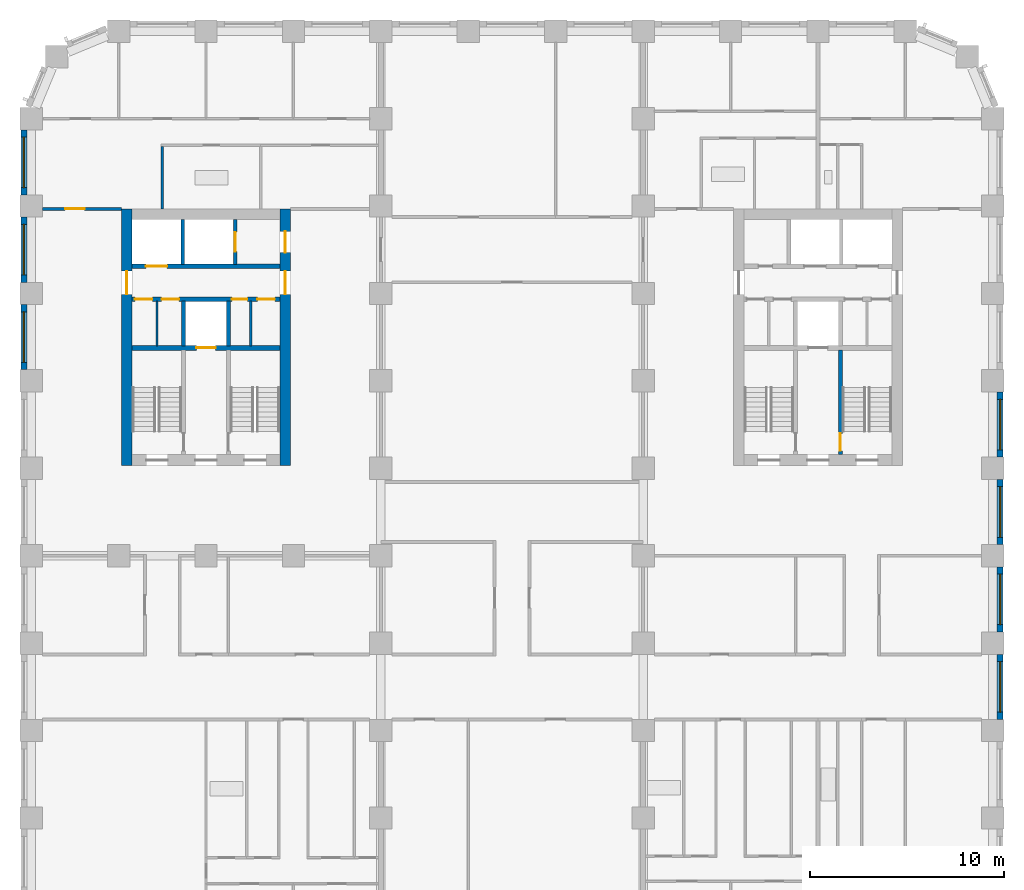
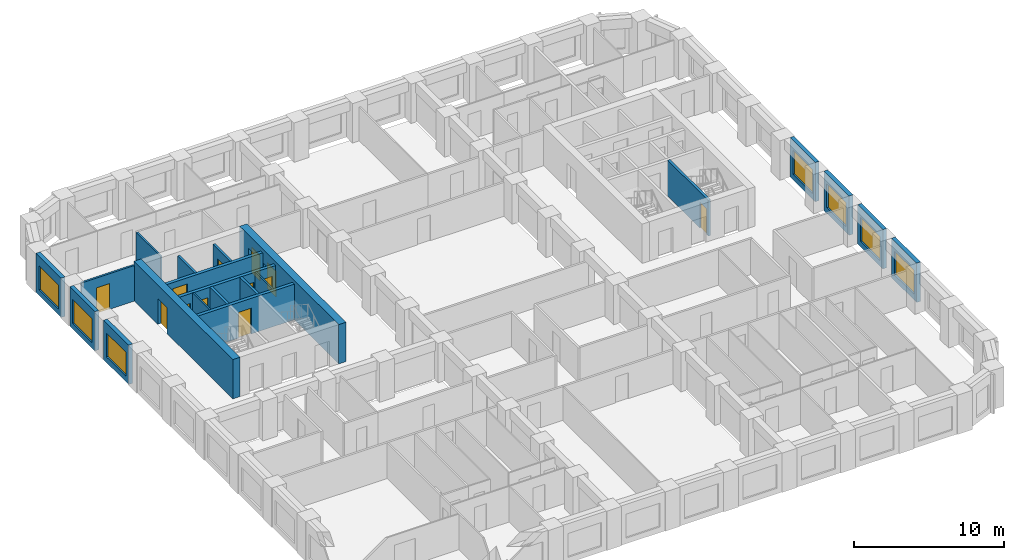
# One storey, part 6 of 12: 21 walls, 12 doors, 7 windows, 19 openings.
"""IFC4 building model written with IfcOpenShell, lengths in metres."""

from ifc_helpers import new_model, si_unit, direction, frame, frame_2d, origin, place, context, subcontext, project, spatial, rectangle, extrude, material, layer, layer_set, type_object, element, fill, save


model = new_model("IFC4")

# Units and contexts
model_context = context("Model", 3, precision=1e-05, world=origin(), true_north=direction((0.0, 1.0)))
body_context = subcontext(model_context, "Body", "Model", "MODEL_VIEW")
ifc_project = project(units=[si_unit("LENGTHUNIT", "METRE"), si_unit("AREAUNIT", "SQUARE_METRE"), si_unit("VOLUMEUNIT", "CUBIC_METRE"), si_unit("PLANEANGLEUNIT", "RADIAN"), si_unit("MASSUNIT", "GRAM", prefix="KILO")], contexts=[model_context])

# Site, building, storey
site_placement = place(None, origin())
site = spatial("IfcSite", under=ifc_project, at=site_placement, CompositionType="ELEMENT")
building_placement = place(site_placement, origin())
building = spatial("IfcBuilding", under=site, at=building_placement, Name="Girih Gate Residences", CompositionType="ELEMENT")
storey_placement = place(building_placement, frame((0.0, 0.0, 112.0)))
storey = spatial("IfcBuildingStorey", under=building, at=storey_placement, Name="L31", CompositionType="ELEMENT", Elevation=112.0)

# Wall, opening, door
ifc_material_1 = material(Name="Gypsum board on steel studs", Category="steel")
ifc_layer_1 = layer(ifc_material_1, 0.14990234375)
ifc_layer_set_1 = layer_set([ifc_layer_1], Name="Compartment wall 150 mm")
wall_type_1 = type_object("IfcWallType", Name="Compartment wall 150 mm", PredefinedType="PARTITIONING", material=ifc_layer_set_1)
wall_1_placement = place(storey_placement, frame((0.574951171875, 40.35009765625, 0.0), z_axis=(0.0, 0.0, 1.0), x_axis=(1.0, 0.0, 0.0)))
wall_1 = element("IfcWall", 1, at=wall_1_placement, inside=storey, type_object=wall_type_1, Name="L31 partition", PredefinedType="PARTITIONING", context=body_context, shape_type="SweptSolid", body=[
    extrude(rectangle(XDim=4.074951171875, YDim=0.14990234375, at=frame_2d((2.03759765625, 0.0))), origin(), (0.0, 0.0, 1.0), 2.89990234375),
])
opening_1_placement = place(wall_1_placement, frame((1.175048828125, 0.0, 0.0)))
opening_1 = element("IfcOpeningElement", 2, at=opening_1_placement, cuts=wall_1, Name="Opening A31-016", PredefinedType="OPENING", context=body_context, shape_type="SweptSolid", body=[
    extrude(rectangle(XDim=1.0, YDim=2.10009765625, at=frame_2d((0.5, 1.050048828125))), frame((0.0, 0.0849609375, 0.0), z_axis=(0.0, -1.0, 0.0), x_axis=(1.0, 0.0, 0.0)), (0.0, 0.0, 1.0), 0.169921875),
])
ifc_material_2 = material(Name="Timber, fire-rated core", Category="wood")
door_type_1 = type_object("IfcDoorType", Name="Flat entrance door 1000x2100 FD30S", OperationType="NOTDEFINED", PredefinedType="DOOR", material=ifc_material_2)
door_1_placement = place(opening_1_placement, origin())
door_1 = element("IfcDoor", 3, at=door_1_placement, inside=storey, type_object=door_type_1, Name="Door A31-016", OperationType="SINGLE_SWING_LEFT", OverallHeight=2.10009765625, OverallWidth=1.0, PredefinedType="DOOR", context=body_context, shape_type="SweptSolid", body=[
    extrude(rectangle(XDim=1.0, YDim=2.10009765625, at=frame_2d((0.5, 1.050048828125))), frame((0.0, 0.02490234375, 0.0), z_axis=(0.0, -1.0, 0.0), x_axis=(1.0, 0.0, 0.0)), (0.0, 0.0, 1.0), 0.050048828125),
])
fill(opening_1, door_1)

ifc_material_3 = material(Name="Concrete C60/75", Category="concrete")
ifc_layer_2 = layer(ifc_material_3, 0.550048828125)
ifc_layer_set_2 = layer_set([ifc_layer_2], Name="Core wall RC 550 Concrete C60/75")
wall_type_2 = type_object("IfcWallType", Name="Core wall RC 550 Concrete C60/75", PredefinedType="SOLIDWALL", material=ifc_layer_set_2)
wall_2_placement = place(storey_placement, frame((4.925048828125, 27.14990234375, 0.0), z_axis=(0.0, 0.0, 1.0), x_axis=(0.0, 1.0, 0.0)))
wall_2 = element("IfcWall", 4, at=wall_2_placement, inside=storey, type_object=wall_type_2, Name="Core wall W-W L31", PredefinedType="SOLIDWALL", context=body_context, shape_type="SweptSolid", body=[
    extrude(rectangle(XDim=13.2001953125, YDim=0.550048828125, at=frame_2d((6.60009765625, 0.0))), origin(), (0.0, 0.0, 1.0), 3.199951171875),
])
opening_2_placement = place(wall_2_placement, frame((8.800048828125, 0.0, 0.0)))
opening_2 = element("IfcOpeningElement", 5, at=opening_2_placement, cuts=wall_2, Name="Opening D-L31-W-014", PredefinedType="OPENING", context=body_context, shape_type="SweptSolid", body=[
    extrude(rectangle(XDim=1.199951171875, YDim=2.10009765625, at=frame_2d((0.60009765625, 1.050048828125))), frame((0.0, 0.284912109375, 0.0), z_axis=(0.0, -1.0, 0.0), x_axis=(1.0, 0.0, 0.0)), (0.0, 0.0, 1.0), 0.570068359375),
])
ifc_material_4 = material(Name="Painted steel, fire-resisting", Category="steel")
door_type_2 = type_object("IfcDoorType", Name="Fire door 1200x2100", OperationType="SINGLE_SWING_LEFT", PredefinedType="DOOR", material=ifc_material_4)
door_2_placement = place(opening_2_placement, origin())
door_2 = element("IfcDoor", 6, at=door_2_placement, inside=storey, type_object=door_type_2, Name="L31 W core door ll-w", OperationType="SINGLE_SWING_LEFT", OverallHeight=2.10009765625, OverallWidth=1.199951171875, PredefinedType="DOOR", context=body_context, shape_type="SweptSolid", body=[
    extrude(rectangle(XDim=1.199951171875, YDim=2.10009765625, at=frame_2d((0.60009765625, 1.050048828125))), frame((0.0, 0.02490234375, 0.0), z_axis=(0.0, -1.0, 0.0), x_axis=(1.0, 0.0, 0.0)), (0.0, 0.0, 1.0), 0.050048828125),
])
fill(opening_2, door_2)

# Wall, openings, doors
wall_3_placement = place(storey_placement, frame((13.074951171875, 27.14990234375, 0.0), z_axis=(0.0, 0.0, 1.0), x_axis=(0.0, 1.0, 0.0)))
wall_3 = element("IfcWall", 7, at=wall_3_placement, inside=storey, type_object=wall_type_2, Name="Core wall W-E L31", PredefinedType="SOLIDWALL", context=body_context, shape_type="SweptSolid", body=[
    extrude(rectangle(XDim=13.2001953125, YDim=0.550048828125, at=frame_2d((6.60009765625, 0.0))), origin(), (0.0, 0.0, 1.0), 3.199951171875),
])
opening_3_placement = place(wall_3_placement, frame((10.949951171875, 0.0, 0.0)))
opening_3 = element("IfcOpeningElement", 8, at=opening_3_placement, cuts=wall_3, Name="Opening D-L31-W-013", PredefinedType="OPENING", context=body_context, shape_type="SweptSolid", body=[
    extrude(rectangle(XDim=1.10009765625, YDim=2.10009765625, at=frame_2d((0.550048828125, 1.050048828125))), frame((0.0, 0.284912109375, 0.0), z_axis=(0.0, -1.0, 0.0), x_axis=(1.0, 0.0, 0.0)), (0.0, 0.0, 1.0), 0.570068359375),
])
opening_4_placement = place(wall_3_placement, frame((8.800048828125, 0.0, 0.0)))
opening_4 = element("IfcOpeningElement", 9, at=opening_4_placement, cuts=wall_3, Name="Opening D-L31-W-015", PredefinedType="OPENING", context=body_context, shape_type="SweptSolid", body=[
    extrude(rectangle(XDim=1.199951171875, YDim=2.10009765625, at=frame_2d((0.60009765625, 1.050048828125))), frame((0.0, 0.284912109375, 0.0), z_axis=(0.0, -1.0, 0.0), x_axis=(1.0, 0.0, 0.0)), (0.0, 0.0, 1.0), 0.570068359375),
])
door_type_3 = type_object("IfcDoorType", Name="Fire door 1100x2100", OperationType="SINGLE_SWING_LEFT", PredefinedType="DOOR", material=ifc_material_4)
door_3_placement = place(opening_3_placement, origin())
door_3 = element("IfcDoor", 10, at=door_3_placement, inside=storey, type_object=door_type_3, Name="L31 W core door ffl2-e", OperationType="SINGLE_SWING_LEFT", OverallHeight=2.10009765625, OverallWidth=1.10009765625, PredefinedType="DOOR", context=body_context, shape_type="SweptSolid", body=[
    extrude(rectangle(XDim=1.10009765625, YDim=2.10009765625, at=frame_2d((0.550048828125, 1.050048828125))), frame((0.0, 0.02490234375, 0.0), z_axis=(0.0, -1.0, 0.0), x_axis=(1.0, 0.0, 0.0)), (0.0, 0.0, 1.0), 0.050048828125),
])
fill(opening_3, door_3)
door_4_placement = place(opening_4_placement, origin())
door_4 = element("IfcDoor", 11, at=door_4_placement, inside=storey, type_object=door_type_2, Name="L31 W core door ll-e", OperationType="SINGLE_SWING_LEFT", OverallHeight=2.10009765625, OverallWidth=1.199951171875, PredefinedType="DOOR", context=body_context, shape_type="SweptSolid", body=[
    extrude(rectangle(XDim=1.199951171875, YDim=2.10009765625, at=frame_2d((0.60009765625, 1.050048828125))), frame((0.0, 0.02490234375, 0.0), z_axis=(0.0, -1.0, 0.0), x_axis=(1.0, 0.0, 0.0)), (0.0, 0.0, 1.0), 0.050048828125),
])
fill(opening_4, door_4)

# Wall, opening, door
ifc_material_5 = material(Name="Concrete C40/50", Category="concrete")
ifc_layer_3 = layer(ifc_material_5, 0.25)
ifc_layer_set_3 = layer_set([ifc_layer_3], Name="Lift shaft wall 250")
wall_type_3 = type_object("IfcWallType", Name="Lift shaft wall 250", PredefinedType="SOLIDWALL", material=ifc_layer_set_3)
wall_4_placement = place(storey_placement, frame((5.199951171875, 33.199951171875, 0.0), z_axis=(0.0, 0.0, 1.0), x_axis=(1.0, 0.0, 0.0)))
wall_4 = element("IfcWall", 12, at=wall_4_placement, inside=storey, type_object=wall_type_3, Name="L31 W core wall H1", PredefinedType="SOLIDWALL", context=body_context, shape_type="SweptSolid", body=[
    extrude(rectangle(XDim=7.60009765625, YDim=0.25, at=frame_2d((3.800048828125, 0.0))), origin(), (0.0, 0.0, 1.0), 2.89990234375),
])
opening_5_placement = place(wall_4_placement, frame((3.300048828125, 0.0, 0.0)))
opening_5 = element("IfcOpeningElement", 13, at=opening_5_placement, cuts=wall_4, Name="Opening D-L31-W-005", PredefinedType="OPENING", context=body_context, shape_type="SweptSolid", body=[
    extrude(rectangle(XDim=1.0, YDim=2.10009765625, at=frame_2d((0.5, 1.050048828125))), frame((0.0, 0.135009765625, 0.0), z_axis=(0.0, -1.0, 0.0), x_axis=(1.0, 0.0, 0.0)), (0.0, 0.0, 1.0), 0.27001953125),
])
ifc_material_6 = material(Name="Stainless steel, fire-resisting", Category="steel")
door_type_4 = type_object("IfcDoorType", Name="Firefighting lift landing door 1000x2100", OperationType="SLIDING_TO_LEFT", PredefinedType="DOOR", material=ifc_material_6)
door_5_placement = place(opening_5_placement, origin())
door_5 = element("IfcDoor", 14, at=door_5_placement, inside=storey, type_object=door_type_4, Name="L31 lift FF-W landing door", OperationType="SLIDING_TO_LEFT", OverallHeight=2.10009765625, OverallWidth=1.0, PredefinedType="DOOR", context=body_context, shape_type="SweptSolid", body=[
    extrude(rectangle(XDim=1.0, YDim=2.10009765625, at=frame_2d((0.5, 1.050048828125))), frame((0.0, 0.02490234375, 0.0), z_axis=(0.0, -1.0, 0.0), x_axis=(1.0, 0.0, 0.0)), (0.0, 0.0, 1.0), 0.050048828125),
])
fill(opening_5, door_5)

# Wall, openings, doors
wall_5_placement = place(storey_placement, frame((5.199951171875, 35.699951171875, 0.0), z_axis=(0.0, 0.0, 1.0), x_axis=(1.0, 0.0, 0.0)))
wall_5 = element("IfcWall", 15, at=wall_5_placement, inside=storey, type_object=wall_type_3, Name="L31 W core wall H2", PredefinedType="SOLIDWALL", context=body_context, shape_type="SweptSolid", body=[
    extrude(rectangle(XDim=7.60009765625, YDim=0.25, at=frame_2d((3.800048828125, 0.0))), origin(), (0.0, 0.0, 1.0), 2.89990234375),
])
opening_6_placement = place(wall_5_placement, frame((0.137451171875, 0.0, 0.0)))
opening_6 = element("IfcOpeningElement", 16, at=opening_6_placement, cuts=wall_5, Name="Opening D-L31-W-006", PredefinedType="OPENING", context=body_context, shape_type="SweptSolid", body=[
    extrude(rectangle(XDim=0.89990234375, YDim=2.10009765625, at=frame_2d((0.449951171875, 1.050048828125))), frame((0.0, 0.135009765625, 0.0), z_axis=(0.0, -1.0, 0.0), x_axis=(1.0, 0.0, 0.0)), (0.0, 0.0, 1.0), 0.27001953125),
])
opening_7_placement = place(wall_5_placement, frame((1.512451171875, 0.0, 0.0)))
opening_7 = element("IfcOpeningElement", 17, at=opening_7_placement, cuts=wall_5, Name="Opening D-L31-W-007", PredefinedType="OPENING", context=body_context, shape_type="SweptSolid", body=[
    extrude(rectangle(XDim=0.89990234375, YDim=2.10009765625, at=frame_2d((0.449951171875, 1.050048828125))), frame((0.0, 0.135009765625, 0.0), z_axis=(0.0, -1.0, 0.0), x_axis=(1.0, 0.0, 0.0)), (0.0, 0.0, 1.0), 0.27001953125),
])
opening_8_placement = place(wall_5_placement, frame((5.125, 0.0, 0.0)))
opening_8 = element("IfcOpeningElement", 18, at=opening_8_placement, cuts=wall_5, Name="Opening D-L31-W-008", PredefinedType="OPENING", context=body_context, shape_type="SweptSolid", body=[
    extrude(rectangle(XDim=0.800048828125, YDim=2.10009765625, at=frame_2d((0.39990234375, 1.050048828125))), frame((0.0, 0.135009765625, 0.0), z_axis=(0.0, -1.0, 0.0), x_axis=(1.0, 0.0, 0.0)), (0.0, 0.0, 1.0), 0.27001953125),
])
opening_9_placement = place(wall_5_placement, frame((6.449951171875, 0.0, 0.0)))
opening_9 = element("IfcOpeningElement", 19, at=opening_9_placement, cuts=wall_5, Name="Opening D-L31-W-009", PredefinedType="OPENING", context=body_context, shape_type="SweptSolid", body=[
    extrude(rectangle(XDim=0.89990234375, YDim=2.10009765625, at=frame_2d((0.449951171875, 1.050048828125))), frame((0.0, 0.135009765625, 0.0), z_axis=(0.0, -1.0, 0.0), x_axis=(1.0, 0.0, 0.0)), (0.0, 0.0, 1.0), 0.27001953125),
])
door_type_5 = type_object("IfcDoorType", Name="Fire door 800x2100", OperationType="SINGLE_SWING_LEFT", PredefinedType="DOOR", material=ifc_material_4)
door_6_placement = place(opening_8_placement, origin())
door_6 = element("IfcDoor", 20, at=door_6_placement, inside=storey, type_object=door_type_5, Name="L31 W maintenance store door", OperationType="SINGLE_SWING_LEFT", OverallHeight=2.10009765625, OverallWidth=0.800048828125, PredefinedType="DOOR", context=body_context, shape_type="SweptSolid", body=[
    extrude(rectangle(XDim=0.800048828125, YDim=2.10009765625, at=frame_2d((0.39990234375, 1.050048828125))), frame((0.0, 0.02490234375, 0.0), z_axis=(0.0, -1.0, 0.0), x_axis=(1.0, 0.0, 0.0)), (0.0, 0.0, 1.0), 0.050048828125),
])
fill(opening_8, door_6)
door_type_6 = type_object("IfcDoorType", Name="Fire door 900x2100", OperationType="SINGLE_SWING_LEFT", PredefinedType="DOOR", material=ifc_material_4)
door_7_placement = place(opening_6_placement, origin())
door_7 = element("IfcDoor", 21, at=door_7_placement, inside=storey, type_object=door_type_6, Name="L31 W refuse store door", OperationType="SINGLE_SWING_LEFT", OverallHeight=2.10009765625, OverallWidth=0.89990234375, PredefinedType="DOOR", context=body_context, shape_type="SweptSolid", body=[
    extrude(rectangle(XDim=0.89990234375, YDim=2.10009765625, at=frame_2d((0.449951171875, 1.050048828125))), frame((0.0, 0.02490234375, 0.0), z_axis=(0.0, -1.0, 0.0), x_axis=(1.0, 0.0, 0.0)), (0.0, 0.0, 1.0), 0.050048828125),
])
fill(opening_6, door_7)
door_8_placement = place(opening_7_placement, origin())
door_8 = element("IfcDoor", 22, at=door_8_placement, inside=storey, type_object=door_type_6, Name="L31 W cleaners store door", OperationType="SINGLE_SWING_LEFT", OverallHeight=2.10009765625, OverallWidth=0.89990234375, PredefinedType="DOOR", context=body_context, shape_type="SweptSolid", body=[
    extrude(rectangle(XDim=0.89990234375, YDim=2.10009765625, at=frame_2d((0.449951171875, 1.050048828125))), frame((0.0, 0.02490234375, 0.0), z_axis=(0.0, -1.0, 0.0), x_axis=(1.0, 0.0, 0.0)), (0.0, 0.0, 1.0), 0.050048828125),
])
fill(opening_7, door_8)
door_9_placement = place(opening_9_placement, origin())
door_9 = element("IfcDoor", 23, at=door_9_placement, inside=storey, type_object=door_type_6, Name="L31 W electrical room door", OperationType="SINGLE_SWING_LEFT", OverallHeight=2.10009765625, OverallWidth=0.89990234375, PredefinedType="DOOR", context=body_context, shape_type="SweptSolid", body=[
    extrude(rectangle(XDim=0.89990234375, YDim=2.10009765625, at=frame_2d((0.449951171875, 1.050048828125))), frame((0.0, 0.02490234375, 0.0), z_axis=(0.0, -1.0, 0.0), x_axis=(1.0, 0.0, 0.0)), (0.0, 0.0, 1.0), 0.050048828125),
])
fill(opening_9, door_9)

# Wall, opening, door
wall_6_placement = place(storey_placement, frame((5.199951171875, 37.39990234375, 0.0), z_axis=(0.0, 0.0, 1.0), x_axis=(1.0, 0.0, 0.0)))
wall_6 = element("IfcWall", 24, at=wall_6_placement, inside=storey, type_object=wall_type_3, Name="L31 W core wall H3", PredefinedType="SOLIDWALL", context=body_context, shape_type="SweptSolid", body=[
    extrude(rectangle(XDim=7.60009765625, YDim=0.25, at=frame_2d((3.800048828125, 0.0))), origin(), (0.0, 0.0, 1.0), 2.89990234375),
])
opening_10_placement = place(wall_6_placement, frame((0.699951171875, 0.0, 0.0)))
opening_10 = element("IfcOpeningElement", 25, at=opening_10_placement, cuts=wall_6, Name="Opening D-L31-W-003", PredefinedType="OPENING", context=body_context, shape_type="SweptSolid", body=[
    extrude(rectangle(XDim=1.10009765625, YDim=2.39990234375, at=frame_2d((0.550048828125, 1.199951171875))), frame((0.0, 0.135009765625, 0.0), z_axis=(0.0, -1.0, 0.0), x_axis=(1.0, 0.0, 0.0)), (0.0, 0.0, 1.0), 0.27001953125),
])
ifc_material_7 = material(Name="Stainless steel", Category="steel")
door_type_7 = type_object("IfcDoorType", Name="Lift landing door 1100x2400", OperationType="SLIDING_TO_LEFT", PredefinedType="DOOR", material=ifc_material_7)
door_10_placement = place(opening_10_placement, origin())
door_10 = element("IfcDoor", 26, at=door_10_placement, inside=storey, type_object=door_type_7, Name="L31 lift LR-W1 landing door", OperationType="SLIDING_TO_LEFT", OverallHeight=2.39990234375, OverallWidth=1.10009765625, PredefinedType="DOOR", context=body_context, shape_type="SweptSolid", body=[
    extrude(rectangle(XDim=1.10009765625, YDim=2.39990234375, at=frame_2d((0.550048828125, 1.199951171875))), frame((0.0, 0.02490234375, 0.0), z_axis=(0.0, -1.0, 0.0), x_axis=(1.0, 0.0, 0.0)), (0.0, 0.0, 1.0), 0.050048828125),
])
fill(opening_10, door_10)

# Wall, opening, window
ifc_material_8 = material(Name="Precast concrete C50/60", Category="concrete")
ifc_layer_4 = layer(ifc_material_8, 0.080078125, Name="Outer leaf")
ifc_material_9 = material(Name="Rigid PIR insulation")
ifc_layer_5 = layer(ifc_material_9, 0.14990234375, Name="Insulation")
ifc_material_10 = material(Name="Precast concrete C40/50", Category="concrete")
ifc_layer_6 = layer(ifc_material_10, 0.070068359375, Name="Inner leaf")
ifc_layer_set_4 = layer_set([ifc_layer_4, ifc_layer_5, ifc_layer_6], Name="Precast concrete C50/60 external wall 300")
wall_type_4 = type_object("IfcWallType", Name="Precast concrete C50/60 external wall 300", PredefinedType="SOLIDWALL", material=ifc_layer_set_4)
wall_7_placement = place(storey_placement, frame((49.875, 17.425048828125, 0.0), z_axis=(0.0, 0.0, 1.0), x_axis=(0.0, -1.0, 0.0)))
wall_7 = element("IfcWall", 27, at=wall_7_placement, inside=storey, type_object=wall_type_4, Name="External wall E0495_0045.2", PredefinedType="SOLIDWALL", context=body_context, shape_type="SweptSolid", body=[
    extrude(rectangle(XDim=3.35009765625, YDim=0.300048828125, at=frame_2d((1.675048828125, 0.0))), origin(), (0.0, 0.0, 1.0), 3.199951171875),
])
opening_11_placement = place(wall_7_placement, frame((0.375, 0.0, 0.449951171875)))
opening_11 = element("IfcOpeningElement", 28, at=opening_11_placement, cuts=wall_7, Name="Opening W-1A", PredefinedType="OPENING", context=body_context, shape_type="SweptSolid", body=[
    extrude(rectangle(XDim=2.60009765625, YDim=1.949951171875, at=frame_2d((1.300048828125, 0.97509765625))), frame((0.0, 0.159912109375, 0.0), z_axis=(0.0, -1.0, 0.0), x_axis=(1.0, 0.0, 0.0)), (0.0, 0.0, 1.0), 0.320068359375),
])
ifc_material_11 = material(Name="Double glazing in aluminium frame", Category="aluminium")
window_type = type_object("IfcWindowType", Name="Window W-1A 2600x1950", PartitioningType="SINGLE_PANEL", PredefinedType="WINDOW", material=ifc_material_11)
window_1_placement = place(opening_11_placement, origin())
window_1 = element("IfcWindow", 29, at=window_1_placement, inside=storey, type_object=window_type, Name="Window W-1A E0495_0045.2", OverallHeight=1.949951171875, OverallWidth=2.60009765625, PartitioningType="SINGLE_PANEL", PredefinedType="WINDOW", context=body_context, shape_type="SweptSolid", body=[
    extrude(rectangle(XDim=2.60009765625, YDim=1.949951171875, at=frame_2d((1.300048828125, 0.97509765625))), frame((0.0, 0.030029296875, 0.0), z_axis=(0.0, -1.0, 0.0), x_axis=(1.0, 0.0, 0.0)), (0.0, 0.0, 1.0), 0.06005859375),
])
fill(opening_11, window_1)

wall_8_placement = place(storey_placement, frame((49.875, 21.925048828125, 0.0), z_axis=(0.0, 0.0, 1.0), x_axis=(0.0, -1.0, 0.0)))
wall_8 = element("IfcWall", 30, at=wall_8_placement, inside=storey, type_object=wall_type_4, Name="External wall E0495_0045.3", PredefinedType="SOLIDWALL", context=body_context, shape_type="SweptSolid", body=[
    extrude(rectangle(XDim=3.35009765625, YDim=0.300048828125, at=frame_2d((1.675048828125, 0.0))), origin(), (0.0, 0.0, 1.0), 3.199951171875),
])
opening_12_placement = place(wall_8_placement, frame((0.375, 0.0, 0.449951171875)))
opening_12 = element("IfcOpeningElement", 31, at=opening_12_placement, cuts=wall_8, Name="Opening W-1A", PredefinedType="OPENING", context=body_context, shape_type="SweptSolid", body=[
    extrude(rectangle(XDim=2.60009765625, YDim=1.949951171875, at=frame_2d((1.300048828125, 0.97509765625))), frame((0.0, 0.159912109375, 0.0), z_axis=(0.0, -1.0, 0.0), x_axis=(1.0, 0.0, 0.0)), (0.0, 0.0, 1.0), 0.320068359375),
])
window_2_placement = place(opening_12_placement, origin())
window_2 = element("IfcWindow", 32, at=window_2_placement, inside=storey, type_object=window_type, Name="Window W-1A E0495_0045.3", OverallHeight=1.949951171875, OverallWidth=2.60009765625, PartitioningType="SINGLE_PANEL", PredefinedType="WINDOW", context=body_context, shape_type="SweptSolid", body=[
    extrude(rectangle(XDim=2.60009765625, YDim=1.949951171875, at=frame_2d((1.300048828125, 0.97509765625))), frame((0.0, 0.030029296875, 0.0), z_axis=(0.0, -1.0, 0.0), x_axis=(1.0, 0.0, 0.0)), (0.0, 0.0, 1.0), 0.06005859375),
])
fill(opening_12, window_2)

wall_9_placement = place(storey_placement, frame((49.875, 26.425048828125, 0.0), z_axis=(0.0, 0.0, 1.0), x_axis=(0.0, -1.0, 0.0)))
wall_9 = element("IfcWall", 33, at=wall_9_placement, inside=storey, type_object=wall_type_4, Name="External wall E0495_0045.4", PredefinedType="SOLIDWALL", context=body_context, shape_type="SweptSolid", body=[
    extrude(rectangle(XDim=3.35009765625, YDim=0.300048828125, at=frame_2d((1.675048828125, 0.0))), origin(), (0.0, 0.0, 1.0), 3.199951171875),
])
opening_13_placement = place(wall_9_placement, frame((0.375, 0.0, 0.449951171875)))
opening_13 = element("IfcOpeningElement", 34, at=opening_13_placement, cuts=wall_9, Name="Opening W-1A", PredefinedType="OPENING", context=body_context, shape_type="SweptSolid", body=[
    extrude(rectangle(XDim=2.60009765625, YDim=1.949951171875, at=frame_2d((1.300048828125, 0.97509765625))), frame((0.0, 0.159912109375, 0.0), z_axis=(0.0, -1.0, 0.0), x_axis=(1.0, 0.0, 0.0)), (0.0, 0.0, 1.0), 0.320068359375),
])
window_3_placement = place(opening_13_placement, origin())
window_3 = element("IfcWindow", 35, at=window_3_placement, inside=storey, type_object=window_type, Name="Window W-1A E0495_0045.4", OverallHeight=1.949951171875, OverallWidth=2.60009765625, PartitioningType="SINGLE_PANEL", PredefinedType="WINDOW", context=body_context, shape_type="SweptSolid", body=[
    extrude(rectangle(XDim=2.60009765625, YDim=1.949951171875, at=frame_2d((1.300048828125, 0.97509765625))), frame((0.0, 0.030029296875, 0.0), z_axis=(0.0, -1.0, 0.0), x_axis=(1.0, 0.0, 0.0)), (0.0, 0.0, 1.0), 0.06005859375),
])
fill(opening_13, window_3)

wall_10_placement = place(storey_placement, frame((49.875, 30.925048828125, 0.0), z_axis=(0.0, 0.0, 1.0), x_axis=(0.0, -1.0, 0.0)))
wall_10 = element("IfcWall", 36, at=wall_10_placement, inside=storey, type_object=wall_type_4, Name="External wall E0495_0045.5", PredefinedType="SOLIDWALL", context=body_context, shape_type="SweptSolid", body=[
    extrude(rectangle(XDim=3.35009765625, YDim=0.300048828125, at=frame_2d((1.675048828125, 0.0))), origin(), (0.0, 0.0, 1.0), 3.199951171875),
])
opening_14_placement = place(wall_10_placement, frame((0.375, 0.0, 0.449951171875)))
opening_14 = element("IfcOpeningElement", 37, at=opening_14_placement, cuts=wall_10, Name="Opening W-1A", PredefinedType="OPENING", context=body_context, shape_type="SweptSolid", body=[
    extrude(rectangle(XDim=2.60009765625, YDim=1.949951171875, at=frame_2d((1.300048828125, 0.97509765625))), frame((0.0, 0.159912109375, 0.0), z_axis=(0.0, -1.0, 0.0), x_axis=(1.0, 0.0, 0.0)), (0.0, 0.0, 1.0), 0.320068359375),
])
window_4_placement = place(opening_14_placement, origin())
window_4 = element("IfcWindow", 38, at=window_4_placement, inside=storey, type_object=window_type, Name="Window W-1A E0495_0045.5", OverallHeight=1.949951171875, OverallWidth=2.60009765625, PartitioningType="SINGLE_PANEL", PredefinedType="WINDOW", context=body_context, shape_type="SweptSolid", body=[
    extrude(rectangle(XDim=2.60009765625, YDim=1.949951171875, at=frame_2d((1.300048828125, 0.97509765625))), frame((0.0, 0.030029296875, 0.0), z_axis=(0.0, -1.0, 0.0), x_axis=(1.0, 0.0, 0.0)), (0.0, 0.0, 1.0), 0.06005859375),
])
fill(opening_14, window_4)

wall_11_placement = place(storey_placement, frame((-0.375, 41.074951171875, 0.0), z_axis=(0.0, 0.0, 1.0), x_axis=(0.0, 1.0, 0.0)))
wall_11 = element("IfcWall", 39, at=wall_11_placement, inside=storey, type_object=wall_type_4, Name="External wall W0000_0450.0", PredefinedType="SOLIDWALL", context=body_context, shape_type="SweptSolid", body=[
    extrude(rectangle(XDim=3.35009765625, YDim=0.300048828125, at=frame_2d((1.675048828125, 0.0))), origin(), (0.0, 0.0, 1.0), 3.199951171875),
])
opening_15_placement = place(wall_11_placement, frame((0.375, 0.0, 0.449951171875)))
opening_15 = element("IfcOpeningElement", 40, at=opening_15_placement, cuts=wall_11, Name="Opening W-1A", PredefinedType="OPENING", context=body_context, shape_type="SweptSolid", body=[
    extrude(rectangle(XDim=2.60009765625, YDim=1.949951171875, at=frame_2d((1.300048828125, 0.97509765625))), frame((0.0, 0.159912109375, 0.0), z_axis=(0.0, -1.0, 0.0), x_axis=(1.0, 0.0, 0.0)), (0.0, 0.0, 1.0), 0.320068359375),
])
window_5_placement = place(opening_15_placement, origin())
window_5 = element("IfcWindow", 41, at=window_5_placement, inside=storey, type_object=window_type, Name="Window W-1A W0000_0450.0", OverallHeight=1.949951171875, OverallWidth=2.60009765625, PartitioningType="SINGLE_PANEL", PredefinedType="WINDOW", context=body_context, shape_type="SweptSolid", body=[
    extrude(rectangle(XDim=2.60009765625, YDim=1.949951171875, at=frame_2d((1.300048828125, 0.97509765625))), frame((0.0, 0.030029296875, 0.0), z_axis=(0.0, -1.0, 0.0), x_axis=(1.0, 0.0, 0.0)), (0.0, 0.0, 1.0), 0.06005859375),
])
fill(opening_15, window_5)

wall_12_placement = place(storey_placement, frame((-0.375, 36.574951171875, 0.0), z_axis=(0.0, 0.0, 1.0), x_axis=(0.0, 1.0, 0.0)))
wall_12 = element("IfcWall", 42, at=wall_12_placement, inside=storey, type_object=wall_type_4, Name="External wall W0000_0450.1", PredefinedType="SOLIDWALL", context=body_context, shape_type="SweptSolid", body=[
    extrude(rectangle(XDim=3.35009765625, YDim=0.300048828125, at=frame_2d((1.675048828125, 0.0))), origin(), (0.0, 0.0, 1.0), 3.199951171875),
])
opening_16_placement = place(wall_12_placement, frame((0.375, 0.0, 0.449951171875)))
opening_16 = element("IfcOpeningElement", 43, at=opening_16_placement, cuts=wall_12, Name="Opening W-1A", PredefinedType="OPENING", context=body_context, shape_type="SweptSolid", body=[
    extrude(rectangle(XDim=2.60009765625, YDim=1.949951171875, at=frame_2d((1.300048828125, 0.97509765625))), frame((0.0, 0.159912109375, 0.0), z_axis=(0.0, -1.0, 0.0), x_axis=(1.0, 0.0, 0.0)), (0.0, 0.0, 1.0), 0.320068359375),
])
window_6_placement = place(opening_16_placement, origin())
window_6 = element("IfcWindow", 44, at=window_6_placement, inside=storey, type_object=window_type, Name="Window W-1A W0000_0450.1", OverallHeight=1.949951171875, OverallWidth=2.60009765625, PartitioningType="SINGLE_PANEL", PredefinedType="WINDOW", context=body_context, shape_type="SweptSolid", body=[
    extrude(rectangle(XDim=2.60009765625, YDim=1.949951171875, at=frame_2d((1.300048828125, 0.97509765625))), frame((0.0, 0.030029296875, 0.0), z_axis=(0.0, -1.0, 0.0), x_axis=(1.0, 0.0, 0.0)), (0.0, 0.0, 1.0), 0.06005859375),
])
fill(opening_16, window_6)

wall_13_placement = place(storey_placement, frame((-0.375, 32.074951171875, 0.0), z_axis=(0.0, 0.0, 1.0), x_axis=(0.0, 1.0, 0.0)))
wall_13 = element("IfcWall", 45, at=wall_13_placement, inside=storey, type_object=wall_type_4, Name="External wall W0000_0450.2", PredefinedType="SOLIDWALL", context=body_context, shape_type="SweptSolid", body=[
    extrude(rectangle(XDim=3.35009765625, YDim=0.300048828125, at=frame_2d((1.675048828125, 0.0))), origin(), (0.0, 0.0, 1.0), 3.199951171875),
])
opening_17_placement = place(wall_13_placement, frame((0.375, 0.0, 0.449951171875)))
opening_17 = element("IfcOpeningElement", 46, at=opening_17_placement, cuts=wall_13, Name="Opening W-1A", PredefinedType="OPENING", context=body_context, shape_type="SweptSolid", body=[
    extrude(rectangle(XDim=2.60009765625, YDim=1.949951171875, at=frame_2d((1.300048828125, 0.97509765625))), frame((0.0, 0.159912109375, 0.0), z_axis=(0.0, -1.0, 0.0), x_axis=(1.0, 0.0, 0.0)), (0.0, 0.0, 1.0), 0.320068359375),
])
window_7_placement = place(opening_17_placement, origin())
window_7 = element("IfcWindow", 47, at=window_7_placement, inside=storey, type_object=window_type, Name="Window W-1A W0000_0450.2", OverallHeight=1.949951171875, OverallWidth=2.60009765625, PartitioningType="SINGLE_PANEL", PredefinedType="WINDOW", context=body_context, shape_type="SweptSolid", body=[
    extrude(rectangle(XDim=2.60009765625, YDim=1.949951171875, at=frame_2d((1.300048828125, 0.97509765625))), frame((0.0, 0.030029296875, 0.0), z_axis=(0.0, -1.0, 0.0), x_axis=(1.0, 0.0, 0.0)), (0.0, 0.0, 1.0), 0.06005859375),
])
fill(opening_17, window_7)

# Wall
ifc_layer_7 = layer(ifc_material_5, 0.175048828125)
ifc_layer_set_5 = layer_set([ifc_layer_7], Name="Riser shaft wall 175")
wall_type_5 = type_object("IfcWallType", Name="Riser shaft wall 175", PredefinedType="SOLIDWALL", material=ifc_layer_set_5)
wall_14_placement = place(storey_placement, frame((7.800048828125, 37.5, 0.0), z_axis=(0.0, 0.0, 1.0), x_axis=(0.0, 1.0, 0.0)))
element("IfcWall", 48, at=wall_14_placement, inside=storey, type_object=wall_type_5, Name="L31 W core wall V1c", PredefinedType="SOLIDWALL", context=body_context, shape_type="SweptSolid", body=[
    extrude(rectangle(XDim=2.300048828125, YDim=0.175048828125, at=frame_2d((1.14990234375, 0.0))), origin(), (0.0, 0.0, 1.0), 2.89990234375),
])

# Wall, opening, door
wall_15_placement = place(storey_placement, frame((10.5, 37.5, 0.0), z_axis=(0.0, 0.0, 1.0), x_axis=(0.0, 1.0, 0.0)))
wall_15 = element("IfcWall", 49, at=wall_15_placement, inside=storey, type_object=wall_type_5, Name="L31 W core wall V2c", PredefinedType="SOLIDWALL", context=body_context, shape_type="SweptSolid", body=[
    extrude(rectangle(XDim=2.300048828125, YDim=0.175048828125, at=frame_2d((1.14990234375, 0.0))), origin(), (0.0, 0.0, 1.0), 2.89990234375),
])
opening_18_placement = place(wall_15_placement, frame((0.64990234375, 0.0, 0.0)))
opening_18 = element("IfcOpeningElement", 50, at=opening_18_placement, cuts=wall_15, Name="Opening D-L31-W-004", PredefinedType="OPENING", context=body_context, shape_type="SweptSolid", body=[
    extrude(rectangle(XDim=1.0, YDim=2.10009765625, at=frame_2d((0.5, 1.050048828125))), frame((0.0, 0.097412109375, 0.0), z_axis=(0.0, -1.0, 0.0), x_axis=(1.0, 0.0, 0.0)), (0.0, 0.0, 1.0), 0.195068359375),
])
door_11_placement = place(opening_18_placement, origin())
door_11 = element("IfcDoor", 51, at=door_11_placement, inside=storey, type_object=door_type_4, Name="L31 lift FF-W2 landing door", OperationType="SLIDING_TO_LEFT", OverallHeight=2.10009765625, OverallWidth=1.0, PredefinedType="DOOR", context=body_context, shape_type="SweptSolid", body=[
    extrude(rectangle(XDim=1.0, YDim=2.10009765625, at=frame_2d((0.5, 1.050048828125))), frame((0.0, 0.02490234375, 0.0), z_axis=(0.0, -1.0, 0.0), x_axis=(1.0, 0.0, 0.0)), (0.0, 0.0, 1.0), 0.050048828125),
])
fill(opening_18, door_11)

# Walls
ifc_layer_8 = layer(ifc_material_5, 0.199951171875)
ifc_layer_set_6 = layer_set([ifc_layer_8], Name="Shaft wall 200")
wall_type_6 = type_object("IfcWallType", Name="Shaft wall 200", PredefinedType="SOLIDWALL", material=ifc_layer_set_6)
for number, where, z_axis, x_axis, name in (
    (52, (7.85009765625, 33.300048828125, 0.0), (0.0, 0.0, 1.0), (0.0, 1.0, 0.0), "L31 W core wall V1b"),
    (53, (10.14990234375, 33.300048828125, 0.0), (0.0, 0.0, 1.0), (0.0, 1.0, 0.0), "L31 W core wall V2b"),
):
    element("IfcWall", number, at=place(storey_placement, frame(where, z_axis=z_axis, x_axis=x_axis)), inside=storey, type_object=wall_type_6, Name=name, PredefinedType="SOLIDWALL", context=body_context, shape_type="SweptSolid", body=[
        extrude(rectangle(XDim=2.300048828125, YDim=0.199951171875, at=frame_2d((1.14990234375, 0.0))), origin(), (0.0, 0.0, 1.0), 2.89990234375),
    ])

# Wall, opening, door
wall_16_placement = place(storey_placement, frame((41.64990234375, 27.699951171875, 0.0), z_axis=(0.0, 0.0, 1.0), x_axis=(0.0, 1.0, 0.0)))
wall_16 = element("IfcWall", 54, at=wall_16_placement, inside=storey, type_object=wall_type_6, Name="L31 E core wall V1a", PredefinedType="SOLIDWALL", context=body_context, shape_type="SweptSolid", body=[
    extrude(rectangle(XDim=5.400146484375, YDim=0.199951171875, at=frame_2d((2.7001953125, 0.0))), origin(), (0.0, 0.0, 1.0), 2.89990234375),
])
opening_19_placement = place(wall_16_placement, frame((0.199951171875, 0.0, 0.0)))
opening_19 = element("IfcOpeningElement", 55, at=opening_19_placement, cuts=wall_16, Name="Opening D-L31-E-001", PredefinedType="OPENING", context=body_context, shape_type="SweptSolid", body=[
    extrude(rectangle(XDim=0.89990234375, YDim=2.10009765625, at=frame_2d((0.449951171875, 1.050048828125))), frame((0.0, 0.10986328125, 0.0), z_axis=(0.0, -1.0, 0.0), x_axis=(1.0, 0.0, 0.0)), (0.0, 0.0, 1.0), 0.219970703125),
])
door_12_placement = place(opening_19_placement, origin())
door_12 = element("IfcDoor", 56, at=door_12_placement, inside=storey, type_object=door_type_6, Name="L31 E door stair 1 to firefighting lobby", OperationType="SINGLE_SWING_LEFT", OverallHeight=2.10009765625, OverallWidth=0.89990234375, PredefinedType="DOOR", context=body_context, shape_type="SweptSolid", body=[
    extrude(rectangle(XDim=0.89990234375, YDim=2.10009765625, at=frame_2d((0.449951171875, 1.050048828125))), frame((0.0, 0.02490234375, 0.0), z_axis=(0.0, -1.0, 0.0), x_axis=(1.0, 0.0, 0.0)), (0.0, 0.0, 1.0), 0.050048828125),
])
fill(opening_19, door_12)

# Walls
ifc_material_12 = material(Name="Calcium silicate blockwork", Category="masonry")
ifc_layer_9 = layer(ifc_material_12, 0.125)
ifc_layer_set_7 = layer_set([ifc_layer_9], Name="Store partition 125")
wall_type_7 = type_object("IfcWallType", Name="Store partition 125", PredefinedType="PARTITIONING", material=ifc_layer_set_7)
for number, where, z_axis, x_axis, name in (
    (57, (6.47509765625, 33.300048828125, 0.0), (0.0, 0.0, 1.0), (0.0, 1.0, 0.0), "L31 W core wall SHR1"),
    (58, (11.300048828125, 33.300048828125, 0.0), (0.0, 0.0, 1.0), (0.0, 1.0, 0.0), "L31 W core wall SHR2"),
):
    element("IfcWall", number, at=place(storey_placement, frame(where, z_axis=z_axis, x_axis=x_axis)), inside=storey, type_object=wall_type_7, Name=name, PredefinedType="PARTITIONING", context=body_context, shape_type="SweptSolid", body=[
        extrude(rectangle(XDim=2.300048828125, YDim=0.125, at=frame_2d((1.14990234375, 0.0))), origin(), (0.0, 0.0, 1.0), 2.89990234375),
    ])
ifc_layer_10 = layer(ifc_material_1, 0.125)
ifc_layer_set_8 = layer_set([ifc_layer_10], Name="Wet room wall 125 mm")
wall_type_8 = type_object("IfcWallType", Name="Wet room wall 125 mm", PredefinedType="PARTITIONING", material=ifc_layer_set_8)
wall_17_placement = place(storey_placement, frame((6.75, 40.35009765625, 0.0), z_axis=(0.0, 0.0, 1.0), x_axis=(0.0, 1.0, 0.0)))
element("IfcWall", 59, at=wall_17_placement, inside=storey, type_object=wall_type_8, Name="L31 partition", PredefinedType="PARTITIONING", context=body_context, shape_type="SweptSolid", body=[
    extrude(rectangle(XDim=3.20751953125, YDim=0.125, at=frame_2d((1.603759765625, 0.0))), origin(), (0.0, 0.0, 1.0), 2.89990234375),
])

save(model, "model.ifc")
